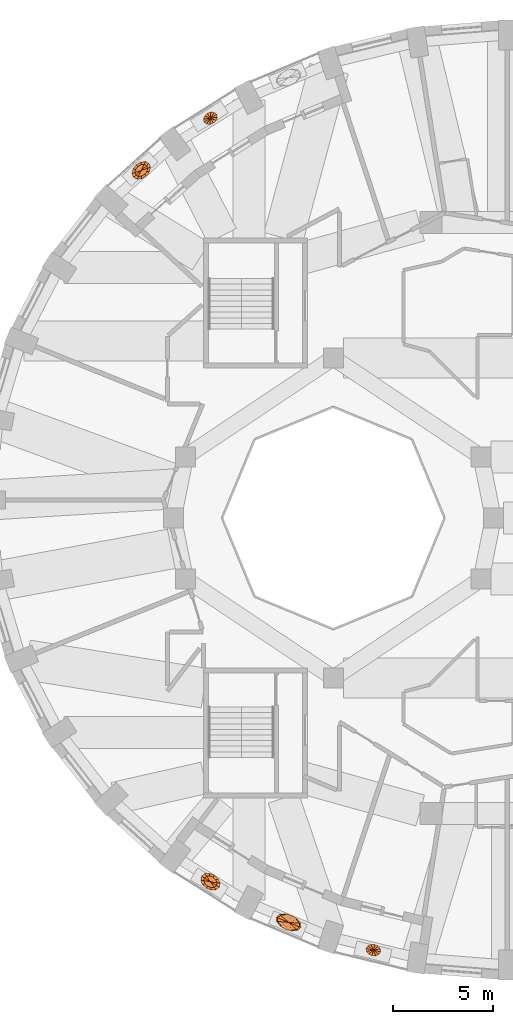
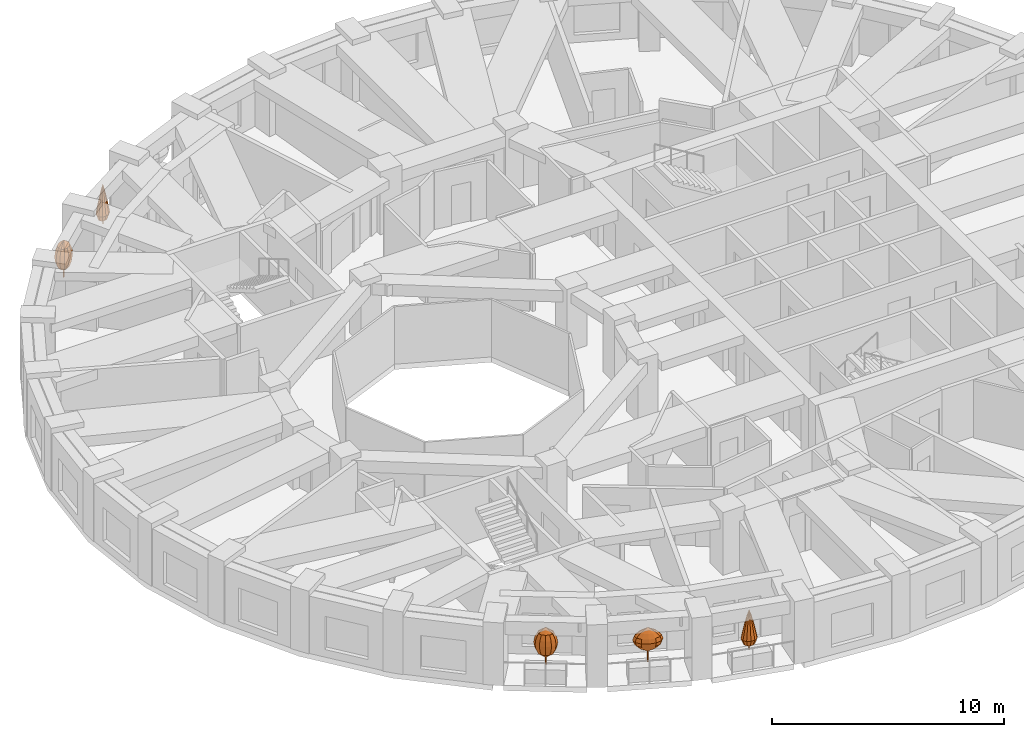
# One storey, part 11 of 12: 5 geographic elements.
"""IFC4 building model written with IfcOpenShell, lengths in metres."""

from ifc_helpers import new_model, si_unit, direction, frame, origin, place, context, subcontext, project, spatial, faceted_brep, material, constituent, constituent_set, type_object, element, save


model = new_model("IFC4")

# Units and contexts
model_context = context("Model", 3, precision=1e-05, world=origin(), true_north=direction((0.0, 1.0)))
body_context = subcontext(model_context, "Body", "Model", "MODEL_VIEW")
ifc_project = project(units=[si_unit("LENGTHUNIT", "METRE"), si_unit("AREAUNIT", "SQUARE_METRE"), si_unit("VOLUMEUNIT", "CUBIC_METRE"), si_unit("PLANEANGLEUNIT", "RADIAN"), si_unit("MASSUNIT", "GRAM", prefix="KILO")], contexts=[model_context])

# Site, building, storey
site_placement = place(None, origin())
site = spatial("IfcSite", under=ifc_project, at=site_placement, CompositionType="ELEMENT")
building_placement = place(site_placement, origin())
building = spatial("IfcBuilding", under=site, at=building_placement, Name="Taillehof Tower", CompositionType="ELEMENT")
storey_placement = place(building_placement, frame((0.0, 0.0, 215.60009765625)))
storey = spatial("IfcBuildingStorey", under=building, at=storey_placement, Name="L61", CompositionType="ELEMENT", Elevation=215.60009765625)

# Geographic elements
ifc_material_1 = material(Name="Tree bark", Category="timber")
ifc_constituent_1 = constituent(ifc_material_1, Name="Trunk", Category="timber")
ifc_material_2 = material(Name="Tree foliage")
ifc_constituent_2 = constituent(ifc_material_2, Name="Crown")
ifc_constituent_set_1 = constituent_set(constituents=[ifc_constituent_1, ifc_constituent_2], Name="Tree TR2 Fastigiate yew")
geographic_element_type_1 = type_object("IfcGeographicElementType", Name="Tree TR2 Fastigiate yew", PredefinedType="USERDEFINED", material=ifc_constituent_set_1)
geographic_element_1_placement = place(storey_placement, frame((-14.14501953125, -18.188232421875, 0.75)))
element("IfcGeographicElement", 1, at=geographic_element_1_placement, inside=storey, type_object=geographic_element_type_1, Name="Tree TR2 Fastigiate yew", ObjectType="TREE", PredefinedType="USERDEFINED", context=body_context, shape_type="Brep", body=[
    faceted_brep([(0.034912109375, 0.0, 0.0), (0.024658203125, 0.024658203125, 0.0), (0.024658203125, 0.024658203125, 0.909912109375), (0.034912109375, 0.0, 0.909912109375), (0.0, 0.034912109375, 0.0), (0.0, 0.034912109375, 0.909912109375), (-0.024658203125, 0.024658203125, 0.0), (-0.024658203125, 0.024658203125, 0.909912109375), (-0.034912109375, 0.0, 0.0), (-0.034912109375, 0.0, 0.909912109375), (-0.024658203125, -0.024658203125, 0.0), (-0.024658203125, -0.024658203125, 0.909912109375), (0.0, -0.034912109375, 0.0), (0.0, -0.034912109375, 0.909912109375), (0.024658203125, -0.024658203125, 0.0), (0.024658203125, -0.024658203125, 0.909912109375)], [[[0, 1, 2, 3]], [[1, 4, 5, 2]], [[4, 6, 7, 5]], [[6, 8, 9, 7]], [[8, 10, 11, 9]], [[10, 12, 13, 11]], [[12, 14, 15, 13]], [[14, 0, 3, 15]], [[14, 12, 10, 8, 6, 4, 1, 0]], [[3, 2, 5, 7, 9, 11, 13, 15]]]),
    faceted_brep([(0.0, 0.0, 0.35009765625), (0.33056640625, -0.054931640625, 0.61669921875), (0.302001953125, -0.190185546875, 0.61669921875), (0.270751953125, 0.09521484375, 0.61669921875), (0.138427734375, 0.2197265625, 0.61669921875), (-0.03125, 0.285400390625, 0.61669921875), (-0.1923828125, 0.2744140625, 0.61669921875), (-0.302001953125, 0.190185546875, 0.61669921875), (-0.33056640625, 0.054931640625, 0.61669921875), (-0.270751953125, -0.09521484375, 0.61669921875), (-0.138427734375, -0.2197265625, 0.61669921875), (0.03125, -0.285400390625, 0.61669921875), (0.1923828125, -0.2744140625, 0.61669921875), (0.447265625, -0.07421875, 0.88330078125), (0.408447265625, -0.25732421875, 0.88330078125), (0.3662109375, 0.128662109375, 0.88330078125), (0.18701171875, 0.297119140625, 0.88330078125), (-0.042236328125, 0.385986328125, 0.88330078125), (-0.26025390625, 0.371337890625, 0.88330078125), (-0.408447265625, 0.25732421875, 0.88330078125), (-0.447265625, 0.07421875, 0.88330078125), (-0.3662109375, -0.128662109375, 0.88330078125), (-0.18701171875, -0.297119140625, 0.88330078125), (0.042236328125, -0.385986328125, 0.88330078125), (0.26025390625, -0.371337890625, 0.88330078125), (0.484130859375, -0.080322265625, 1.14990234375), (0.442138671875, -0.278564453125, 1.14990234375), (0.396484375, 0.13916015625, 1.14990234375), (0.20263671875, 0.321533203125, 1.14990234375), (-0.045654296875, 0.417724609375, 1.14990234375), (-0.28173828125, 0.40185546875, 1.14990234375), (-0.442138671875, 0.278564453125, 1.14990234375), (-0.484130859375, 0.080322265625, 1.14990234375), (-0.396484375, -0.13916015625, 1.14990234375), (-0.20263671875, -0.321533203125, 1.14990234375), (0.045654296875, -0.417724609375, 1.14990234375), (0.28173828125, -0.40185546875, 1.14990234375), (0.447265625, -0.07421875, 1.416748046875), (0.408447265625, -0.25732421875, 1.416748046875), (0.3662109375, 0.128662109375, 1.416748046875), (0.18701171875, 0.297119140625, 1.416748046875), (-0.042236328125, 0.385986328125, 1.416748046875), (-0.26025390625, 0.371337890625, 1.416748046875), (-0.408447265625, 0.25732421875, 1.416748046875), (-0.447265625, 0.07421875, 1.416748046875), (-0.3662109375, -0.128662109375, 1.416748046875), (-0.18701171875, -0.297119140625, 1.416748046875), (0.042236328125, -0.385986328125, 1.416748046875), (0.26025390625, -0.371337890625, 1.416748046875), (0.33056640625, -0.054931640625, 1.683349609375), (0.302001953125, -0.190185546875, 1.683349609375), (0.270751953125, 0.09521484375, 1.683349609375), (0.138427734375, 0.2197265625, 1.683349609375), (-0.03125, 0.285400390625, 1.683349609375), (-0.1923828125, 0.2744140625, 1.683349609375), (-0.302001953125, 0.190185546875, 1.683349609375), (-0.33056640625, 0.054931640625, 1.683349609375), (-0.270751953125, -0.09521484375, 1.683349609375), (-0.138427734375, -0.2197265625, 1.683349609375), (0.03125, -0.285400390625, 1.683349609375), (0.1923828125, -0.2744140625, 1.683349609375), (0.0, 0.0, 1.949951171875)], [[[0, 1, 2]], [[0, 3, 1]], [[0, 4, 3]], [[0, 5, 4]], [[0, 6, 5]], [[0, 7, 6]], [[0, 8, 7]], [[0, 9, 8]], [[0, 10, 9]], [[0, 11, 10]], [[0, 12, 11]], [[0, 2, 12]], [[2, 1, 13, 14]], [[1, 3, 15, 13]], [[3, 4, 16, 15]], [[4, 5, 17, 16]], [[5, 6, 18, 17]], [[6, 7, 19, 18]], [[7, 8, 20, 19]], [[8, 9, 21, 20]], [[9, 10, 22, 21]], [[10, 11, 23, 22]], [[11, 12, 24, 23]], [[12, 2, 14, 24]], [[14, 13, 25, 26]], [[13, 15, 27, 25]], [[15, 16, 28, 27]], [[16, 17, 29, 28]], [[17, 18, 30, 29]], [[18, 19, 31, 30]], [[19, 20, 32, 31]], [[20, 21, 33, 32]], [[21, 22, 34, 33]], [[22, 23, 35, 34]], [[23, 24, 36, 35]], [[24, 14, 26, 36]], [[26, 25, 37, 38]], [[25, 27, 39, 37]], [[27, 28, 40, 39]], [[28, 29, 41, 40]], [[29, 30, 42, 41]], [[30, 31, 43, 42]], [[31, 32, 44, 43]], [[32, 33, 45, 44]], [[33, 34, 46, 45]], [[34, 35, 47, 46]], [[35, 36, 48, 47]], [[36, 26, 38, 48]], [[38, 37, 49, 50]], [[37, 39, 51, 49]], [[39, 40, 52, 51]], [[40, 41, 53, 52]], [[41, 42, 54, 53]], [[42, 43, 55, 54]], [[43, 44, 56, 55]], [[44, 45, 57, 56]], [[45, 46, 58, 57]], [[46, 47, 59, 58]], [[47, 48, 60, 59]], [[48, 38, 50, 60]], [[50, 49, 61]], [[49, 51, 61]], [[51, 52, 61]], [[52, 53, 61]], [[53, 54, 61]], [[54, 55, 61]], [[55, 56, 61]], [[56, 57, 61]], [[57, 58, 61]], [[58, 59, 61]], [[59, 60, 61]], [[60, 50, 61]]]),
])
geographic_element_2_placement = place(storey_placement, frame((-17.60205078125, 17.378662109375, 0.75)))
element("IfcGeographicElement", 2, at=geographic_element_2_placement, inside=storey, type_object=geographic_element_type_1, Name="Tree TR2 Fastigiate yew", ObjectType="TREE", PredefinedType="USERDEFINED", context=body_context, shape_type="Brep", body=[
    faceted_brep([(0.034912109375, 0.0, 0.0), (0.024658203125, 0.024658203125, 0.0), (0.024658203125, 0.024658203125, 0.909912109375), (0.034912109375, 0.0, 0.909912109375), (0.0, 0.034912109375, 0.0), (0.0, 0.034912109375, 0.909912109375), (-0.024658203125, 0.024658203125, 0.0), (-0.024658203125, 0.024658203125, 0.909912109375), (-0.034912109375, 0.0, 0.0), (-0.034912109375, 0.0, 0.909912109375), (-0.024658203125, -0.024658203125, 0.0), (-0.024658203125, -0.024658203125, 0.909912109375), (0.0, -0.034912109375, 0.0), (0.0, -0.034912109375, 0.909912109375), (0.024658203125, -0.024658203125, 0.0), (0.024658203125, -0.024658203125, 0.909912109375)], [[[0, 1, 2, 3]], [[1, 4, 5, 2]], [[4, 6, 7, 5]], [[6, 8, 9, 7]], [[8, 10, 11, 9]], [[10, 12, 13, 11]], [[12, 14, 15, 13]], [[14, 0, 3, 15]], [[14, 12, 10, 8, 6, 4, 1, 0]], [[3, 2, 5, 7, 9, 11, 13, 15]]]),
    faceted_brep([(0.0, 0.0, 0.35009765625), (-0.14306640625, -0.30322265625, 0.61669921875), (-0.265380859375, -0.23876953125, 0.61669921875), (0.017578125, -0.286376953125, 0.61669921875), (0.173583984375, -0.19287109375, 0.61669921875), (0.282958984375, -0.0478515625, 0.61669921875), (0.316650390625, 0.110107421875, 0.61669921875), (0.265380859375, 0.23876953125, 0.61669921875), (0.14306640625, 0.30322265625, 0.61669921875), (-0.017578125, 0.286376953125, 0.61669921875), (-0.173583984375, 0.19287109375, 0.61669921875), (-0.282958984375, 0.0478515625, 0.61669921875), (-0.316650390625, -0.110107421875, 0.61669921875), (-0.193359375, -0.41015625, 0.88330078125), (-0.35888671875, -0.32275390625, 0.88330078125), (0.02392578125, -0.387451171875, 0.88330078125), (0.23486328125, -0.260986328125, 0.88330078125), (0.3828125, -0.064697265625, 0.88330078125), (0.42822265625, 0.149169921875, 0.88330078125), (0.35888671875, 0.32275390625, 0.88330078125), (0.193359375, 0.41015625, 0.88330078125), (-0.02392578125, 0.387451171875, 0.88330078125), (-0.23486328125, 0.260986328125, 0.88330078125), (-0.3828125, 0.064697265625, 0.88330078125), (-0.42822265625, -0.149169921875, 0.88330078125), (-0.209228515625, -0.44384765625, 1.14990234375), (-0.388427734375, -0.349365234375, 1.14990234375), (0.02587890625, -0.41943359375, 1.14990234375), (0.254150390625, -0.282470703125, 1.14990234375), (0.414306640625, -0.06982421875, 1.14990234375), (0.46337890625, 0.161376953125, 1.14990234375), (0.388427734375, 0.349365234375, 1.14990234375), (0.209228515625, 0.44384765625, 1.14990234375), (-0.02587890625, 0.41943359375, 1.14990234375), (-0.254150390625, 0.282470703125, 1.14990234375), (-0.414306640625, 0.06982421875, 1.14990234375), (-0.46337890625, -0.161376953125, 1.14990234375), (-0.193359375, -0.41015625, 1.416748046875), (-0.35888671875, -0.32275390625, 1.416748046875), (0.02392578125, -0.387451171875, 1.416748046875), (0.23486328125, -0.260986328125, 1.416748046875), (0.3828125, -0.064697265625, 1.416748046875), (0.42822265625, 0.149169921875, 1.416748046875), (0.35888671875, 0.32275390625, 1.416748046875), (0.193359375, 0.41015625, 1.416748046875), (-0.02392578125, 0.387451171875, 1.416748046875), (-0.23486328125, 0.260986328125, 1.416748046875), (-0.3828125, 0.064697265625, 1.416748046875), (-0.42822265625, -0.149169921875, 1.416748046875), (-0.14306640625, -0.30322265625, 1.683349609375), (-0.265380859375, -0.23876953125, 1.683349609375), (0.017578125, -0.286376953125, 1.683349609375), (0.173583984375, -0.19287109375, 1.683349609375), (0.282958984375, -0.0478515625, 1.683349609375), (0.316650390625, 0.110107421875, 1.683349609375), (0.265380859375, 0.23876953125, 1.683349609375), (0.14306640625, 0.30322265625, 1.683349609375), (-0.017578125, 0.286376953125, 1.683349609375), (-0.173583984375, 0.19287109375, 1.683349609375), (-0.282958984375, 0.0478515625, 1.683349609375), (-0.316650390625, -0.110107421875, 1.683349609375), (0.0, 0.0, 1.949951171875)], [[[0, 1, 2]], [[0, 3, 1]], [[0, 4, 3]], [[0, 5, 4]], [[0, 6, 5]], [[0, 7, 6]], [[0, 8, 7]], [[0, 9, 8]], [[0, 10, 9]], [[0, 11, 10]], [[0, 12, 11]], [[0, 2, 12]], [[2, 1, 13, 14]], [[1, 3, 15, 13]], [[3, 4, 16, 15]], [[4, 5, 17, 16]], [[5, 6, 18, 17]], [[6, 7, 19, 18]], [[7, 8, 20, 19]], [[8, 9, 21, 20]], [[9, 10, 22, 21]], [[10, 11, 23, 22]], [[11, 12, 24, 23]], [[12, 2, 14, 24]], [[14, 13, 25, 26]], [[13, 15, 27, 25]], [[15, 16, 28, 27]], [[16, 17, 29, 28]], [[17, 18, 30, 29]], [[18, 19, 31, 30]], [[19, 20, 32, 31]], [[20, 21, 33, 32]], [[21, 22, 34, 33]], [[22, 23, 35, 34]], [[23, 24, 36, 35]], [[24, 14, 26, 36]], [[26, 25, 37, 38]], [[25, 27, 39, 37]], [[27, 28, 40, 39]], [[28, 29, 41, 40]], [[29, 30, 42, 41]], [[30, 31, 43, 42]], [[31, 32, 44, 43]], [[32, 33, 45, 44]], [[33, 34, 46, 45]], [[34, 35, 47, 46]], [[35, 36, 48, 47]], [[36, 26, 38, 48]], [[38, 37, 49, 50]], [[37, 39, 51, 49]], [[39, 40, 52, 51]], [[40, 41, 53, 52]], [[41, 42, 54, 53]], [[42, 43, 55, 54]], [[43, 44, 56, 55]], [[44, 45, 57, 56]], [[45, 46, 58, 57]], [[46, 47, 59, 58]], [[47, 48, 60, 59]], [[48, 38, 50, 60]], [[50, 49, 61]], [[49, 51, 61]], [[51, 52, 61]], [[52, 53, 61]], [[53, 54, 61]], [[54, 55, 61]], [[55, 56, 61]], [[56, 57, 61]], [[57, 58, 61]], [[58, 59, 61]], [[59, 60, 61]], [[60, 50, 61]]]),
])
ifc_material_3 = material(Name="Tree bark", Category="timber")
ifc_constituent_3 = constituent(ifc_material_3, Name="Trunk", Category="timber")
ifc_material_4 = material(Name="Tree foliage")
ifc_constituent_4 = constituent(ifc_material_4, Name="Crown")
ifc_constituent_set_2 = constituent_set(constituents=[ifc_constituent_3, ifc_constituent_4], Name="Tree TR4 Sea buckthorn standard")
geographic_element_type_2 = type_object("IfcGeographicElementType", Name="Tree TR4 Sea buckthorn standard", PredefinedType="USERDEFINED", material=ifc_constituent_set_2)
geographic_element_3_placement = place(storey_placement, frame((-10.2373046875, -20.218017578125, 0.75)))
element("IfcGeographicElement", 3, at=geographic_element_3_placement, inside=storey, type_object=geographic_element_type_2, Name="Tree TR4 Sea buckthorn standard", ObjectType="TREE", PredefinedType="USERDEFINED", context=body_context, shape_type="Brep", body=[
    faceted_brep([(0.030029296875, 0.0, 0.0), (0.021240234375, 0.021240234375, 0.0), (0.021240234375, 0.021240234375, 0.98095703125), (0.030029296875, 0.0, 0.98095703125), (0.0, 0.030029296875, 0.0), (0.0, 0.030029296875, 0.98095703125), (-0.021240234375, 0.021240234375, 0.0), (-0.021240234375, 0.021240234375, 0.98095703125), (-0.030029296875, 0.0, 0.0), (-0.030029296875, 0.0, 0.98095703125), (-0.021240234375, -0.021240234375, 0.0), (-0.021240234375, -0.021240234375, 0.98095703125), (0.0, -0.030029296875, 0.0), (0.0, -0.030029296875, 0.98095703125), (0.021240234375, -0.021240234375, 0.0), (0.021240234375, -0.021240234375, 0.98095703125)], [[[0, 1, 2, 3]], [[1, 4, 5, 2]], [[4, 6, 7, 5]], [[6, 8, 9, 7]], [[8, 10, 11, 9]], [[10, 12, 13, 11]], [[12, 14, 15, 13]], [[14, 0, 3, 15]], [[14, 12, 10, 8, 6, 4, 1, 0]], [[3, 2, 5, 7, 9, 11, 13, 15]]]),
    faceted_brep([(0.0, 0.0, 0.5400390625), (0.34716796875, -0.02734375, 0.75), (0.352294921875, -0.147705078125, 0.75), (0.249267578125, 0.100341796875, 0.75), (0.08447265625, 0.201171875, 0.75), (-0.10302734375, 0.248046875, 0.75), (-0.2626953125, 0.228515625, 0.75), (-0.352294921875, 0.147705078125, 0.75), (-0.34716796875, 0.02734375, 0.75), (-0.249267578125, -0.100341796875, 0.75), (-0.08447265625, -0.201171875, 0.75), (0.10302734375, -0.248046875, 0.75), (0.2626953125, -0.228515625, 0.75), (0.538818359375, -0.04248046875, 0.9599609375), (0.546630859375, -0.229248046875, 0.9599609375), (0.38671875, 0.15576171875, 0.9599609375), (0.131103515625, 0.312255859375, 0.9599609375), (-0.159912109375, 0.385009765625, 0.9599609375), (-0.407958984375, 0.354736328125, 0.9599609375), (-0.546630859375, 0.229248046875, 0.9599609375), (-0.538818359375, 0.04248046875, 0.9599609375), (-0.38671875, -0.15576171875, 0.9599609375), (-0.131103515625, -0.312255859375, 0.9599609375), (0.159912109375, -0.385009765625, 0.9599609375), (0.407958984375, -0.354736328125, 0.9599609375), (0.6044921875, -0.047607421875, 1.169921875), (0.61328125, -0.25732421875, 1.169921875), (0.433837890625, 0.1748046875, 1.169921875), (0.14697265625, 0.350341796875, 1.169921875), (-0.179443359375, 0.43212890625, 1.169921875), (-0.45751953125, 0.39794921875, 1.169921875), (-0.61328125, 0.25732421875, 1.169921875), (-0.6044921875, 0.047607421875, 1.169921875), (-0.433837890625, -0.1748046875, 1.169921875), (-0.14697265625, -0.350341796875, 1.169921875), (0.179443359375, -0.43212890625, 1.169921875), (0.45751953125, -0.39794921875, 1.169921875), (0.538818359375, -0.04248046875, 1.3798828125), (0.546630859375, -0.229248046875, 1.3798828125), (0.38671875, 0.15576171875, 1.3798828125), (0.131103515625, 0.312255859375, 1.3798828125), (-0.159912109375, 0.385009765625, 1.3798828125), (-0.407958984375, 0.354736328125, 1.3798828125), (-0.546630859375, 0.229248046875, 1.3798828125), (-0.538818359375, 0.04248046875, 1.3798828125), (-0.38671875, -0.15576171875, 1.3798828125), (-0.131103515625, -0.312255859375, 1.3798828125), (0.159912109375, -0.385009765625, 1.3798828125), (0.407958984375, -0.354736328125, 1.3798828125), (0.34716796875, -0.02734375, 1.590087890625), (0.352294921875, -0.147705078125, 1.590087890625), (0.249267578125, 0.100341796875, 1.590087890625), (0.08447265625, 0.201171875, 1.590087890625), (-0.10302734375, 0.248046875, 1.590087890625), (-0.2626953125, 0.228515625, 1.590087890625), (-0.352294921875, 0.147705078125, 1.590087890625), (-0.34716796875, 0.02734375, 1.590087890625), (-0.249267578125, -0.100341796875, 1.590087890625), (-0.08447265625, -0.201171875, 1.590087890625), (0.10302734375, -0.248046875, 1.590087890625), (0.2626953125, -0.228515625, 1.590087890625), (0.0, 0.0, 1.800048828125)], [[[0, 1, 2]], [[0, 3, 1]], [[0, 4, 3]], [[0, 5, 4]], [[0, 6, 5]], [[0, 7, 6]], [[0, 8, 7]], [[0, 9, 8]], [[0, 10, 9]], [[0, 11, 10]], [[0, 12, 11]], [[0, 2, 12]], [[2, 1, 13, 14]], [[1, 3, 15, 13]], [[3, 4, 16, 15]], [[4, 5, 17, 16]], [[5, 6, 18, 17]], [[6, 7, 19, 18]], [[7, 8, 20, 19]], [[8, 9, 21, 20]], [[9, 10, 22, 21]], [[10, 11, 23, 22]], [[11, 12, 24, 23]], [[12, 2, 14, 24]], [[14, 13, 25, 26]], [[13, 15, 27, 25]], [[15, 16, 28, 27]], [[16, 17, 29, 28]], [[17, 18, 30, 29]], [[18, 19, 31, 30]], [[19, 20, 32, 31]], [[20, 21, 33, 32]], [[21, 22, 34, 33]], [[22, 23, 35, 34]], [[23, 24, 36, 35]], [[24, 14, 26, 36]], [[26, 25, 37, 38]], [[25, 27, 39, 37]], [[27, 28, 40, 39]], [[28, 29, 41, 40]], [[29, 30, 42, 41]], [[30, 31, 43, 42]], [[31, 32, 44, 43]], [[32, 33, 45, 44]], [[33, 34, 46, 45]], [[34, 35, 47, 46]], [[35, 36, 48, 47]], [[36, 26, 38, 48]], [[38, 37, 49, 50]], [[37, 39, 51, 49]], [[39, 40, 52, 51]], [[40, 41, 53, 52]], [[41, 42, 54, 53]], [[42, 43, 55, 54]], [[43, 44, 56, 55]], [[44, 45, 57, 56]], [[45, 46, 58, 57]], [[46, 47, 59, 58]], [[47, 48, 60, 59]], [[48, 38, 50, 60]], [[50, 49, 61]], [[49, 51, 61]], [[51, 52, 61]], [[52, 53, 61]], [[53, 54, 61]], [[54, 55, 61]], [[55, 56, 61]], [[56, 57, 61]], [[57, 58, 61]], [[58, 59, 61]], [[59, 60, 61]], [[60, 50, 61]]]),
])
ifc_material_5 = material(Name="Tree bark", Category="timber")
ifc_constituent_5 = constituent(ifc_material_5, Name="Trunk", Category="timber")
ifc_material_6 = material(Name="Tree foliage")
ifc_constituent_6 = constituent(ifc_material_6, Name="Crown")
ifc_constituent_set_3 = constituent_set(constituents=[ifc_constituent_5, ifc_constituent_6], Name="Tree TR5 Columnar juniper")
geographic_element_type_3 = type_object("IfcGeographicElementType", Name="Tree TR5 Columnar juniper", PredefinedType="USERDEFINED", material=ifc_constituent_set_3)
geographic_element_4_placement = place(storey_placement, frame((-5.997802734375, -21.60595703125, 0.75)))
element("IfcGeographicElement", 4, at=geographic_element_4_placement, inside=storey, type_object=geographic_element_type_3, Name="Tree TR5 Columnar juniper", ObjectType="TREE", PredefinedType="USERDEFINED", context=body_context, shape_type="Brep", body=[
    faceted_brep([(0.02490234375, 0.0, 0.0), (0.017578125, 0.017578125, 0.0), (0.017578125, 0.017578125, 0.929931640625), (0.02490234375, 0.0, 0.929931640625), (0.0, 0.02490234375, 0.0), (0.0, 0.02490234375, 0.929931640625), (-0.017578125, 0.017578125, 0.0), (-0.017578125, 0.017578125, 0.929931640625), (-0.02490234375, 0.0, 0.0), (-0.02490234375, 0.0, 0.929931640625), (-0.017578125, -0.017578125, 0.0), (-0.017578125, -0.017578125, 0.929931640625), (0.0, -0.02490234375, 0.0), (0.0, -0.02490234375, 0.929931640625), (0.017578125, -0.017578125, 0.0), (0.017578125, -0.017578125, 0.929931640625)], [[[0, 1, 2, 3]], [[1, 4, 5, 2]], [[4, 6, 7, 5]], [[6, 8, 9, 7]], [[8, 10, 11, 9]], [[10, 12, 13, 11]], [[12, 14, 15, 13]], [[14, 0, 3, 15]], [[14, 12, 10, 8, 6, 4, 1, 0]], [[3, 2, 5, 7, 9, 11, 13, 15]]]),
    faceted_brep([(0.24072265625, -0.05810546875, 0.300048828125), (0.23095703125, 0.04345703125, 0.300048828125), (0.3447265625, 0.064697265625, 0.60009765625), (0.359130859375, -0.086669921875, 0.60009765625), (0.159423828125, 0.133056640625, 0.300048828125), (0.23779296875, 0.19873046875, 0.60009765625), (0.045166015625, 0.187255859375, 0.300048828125), (0.0673828125, 0.279296875, 0.60009765625), (-0.081298828125, 0.191162109375, 0.300048828125), (-0.121337890625, 0.28515625, 0.60009765625), (-0.185791015625, 0.143798828125, 0.300048828125), (-0.27734375, 0.214599609375, 0.60009765625), (-0.24072265625, 0.05810546875, 0.300048828125), (-0.359130859375, 0.086669921875, 0.60009765625), (-0.23095703125, -0.04345703125, 0.300048828125), (-0.3447265625, -0.064697265625, 0.60009765625), (-0.159423828125, -0.133056640625, 0.300048828125), (-0.23779296875, -0.19873046875, 0.60009765625), (-0.045166015625, -0.187255859375, 0.300048828125), (-0.0673828125, -0.279296875, 0.60009765625), (0.081298828125, -0.191162109375, 0.300048828125), (0.121337890625, -0.28515625, 0.60009765625), (0.185791015625, -0.143798828125, 0.300048828125), (0.27734375, -0.214599609375, 0.60009765625), (0.288330078125, 0.05419921875, 0.89990234375), (0.300537109375, -0.072509765625, 0.89990234375), (0.198974609375, 0.166259765625, 0.89990234375), (0.056396484375, 0.233642578125, 0.89990234375), (-0.1015625, 0.238525390625, 0.89990234375), (-0.23193359375, 0.1796875, 0.89990234375), (-0.300537109375, 0.072509765625, 0.89990234375), (-0.288330078125, -0.05419921875, 0.89990234375), (-0.198974609375, -0.166259765625, 0.89990234375), (-0.056396484375, -0.233642578125, 0.89990234375), (0.1015625, -0.238525390625, 0.89990234375), (0.23193359375, -0.1796875, 0.89990234375), (0.22900390625, 0.04296875, 1.199951171875), (0.23876953125, -0.0576171875, 1.199951171875), (0.158203125, 0.132080078125, 1.199951171875), (0.044677734375, 0.185546875, 1.199951171875), (-0.08056640625, 0.189453125, 1.199951171875), (-0.184326171875, 0.142578125, 1.199951171875), (-0.23876953125, 0.0576171875, 1.199951171875), (-0.22900390625, -0.04296875, 1.199951171875), (-0.158203125, -0.132080078125, 1.199951171875), (-0.044677734375, -0.185546875, 1.199951171875), (0.08056640625, -0.189453125, 1.199951171875), (0.184326171875, -0.142578125, 1.199951171875), (0.16552734375, 0.031005859375, 1.5), (0.172607421875, -0.04150390625, 1.5), (0.1142578125, 0.095458984375, 1.5), (0.032470703125, 0.13427734375, 1.5), (-0.058349609375, 0.136962890625, 1.5), (-0.13330078125, 0.10302734375, 1.5), (-0.172607421875, 0.04150390625, 1.5), (-0.16552734375, -0.031005859375, 1.5), (-0.1142578125, -0.095458984375, 1.5), (-0.032470703125, -0.13427734375, 1.5), (0.058349609375, -0.136962890625, 1.5), (0.13330078125, -0.10302734375, 1.5), (0.09521484375, 0.017822265625, 1.800048828125), (0.09912109375, -0.02392578125, 1.800048828125), (0.065673828125, 0.054931640625, 1.800048828125), (0.0185546875, 0.0771484375, 1.800048828125), (-0.033447265625, 0.07861328125, 1.800048828125), (-0.07666015625, 0.059326171875, 1.800048828125), (-0.09912109375, 0.02392578125, 1.800048828125), (-0.09521484375, -0.017822265625, 1.800048828125), (-0.065673828125, -0.054931640625, 1.800048828125), (-0.0185546875, -0.0771484375, 1.800048828125), (0.033447265625, -0.07861328125, 1.800048828125), (0.07666015625, -0.059326171875, 1.800048828125), (0.0, 0.0, 2.10009765625)], [[[0, 1, 2, 3]], [[1, 4, 5, 2]], [[4, 6, 7, 5]], [[6, 8, 9, 7]], [[8, 10, 11, 9]], [[10, 12, 13, 11]], [[12, 14, 15, 13]], [[14, 16, 17, 15]], [[16, 18, 19, 17]], [[18, 20, 21, 19]], [[20, 22, 23, 21]], [[22, 0, 3, 23]], [[3, 2, 24, 25]], [[2, 5, 26, 24]], [[5, 7, 27, 26]], [[7, 9, 28, 27]], [[9, 11, 29, 28]], [[11, 13, 30, 29]], [[13, 15, 31, 30]], [[15, 17, 32, 31]], [[17, 19, 33, 32]], [[19, 21, 34, 33]], [[21, 23, 35, 34]], [[23, 3, 25, 35]], [[25, 24, 36, 37]], [[24, 26, 38, 36]], [[26, 27, 39, 38]], [[27, 28, 40, 39]], [[28, 29, 41, 40]], [[29, 30, 42, 41]], [[30, 31, 43, 42]], [[31, 32, 44, 43]], [[32, 33, 45, 44]], [[33, 34, 46, 45]], [[34, 35, 47, 46]], [[35, 25, 37, 47]], [[37, 36, 48, 49]], [[36, 38, 50, 48]], [[38, 39, 51, 50]], [[39, 40, 52, 51]], [[40, 41, 53, 52]], [[41, 42, 54, 53]], [[42, 43, 55, 54]], [[43, 44, 56, 55]], [[44, 45, 57, 56]], [[45, 46, 58, 57]], [[46, 47, 59, 58]], [[47, 37, 49, 59]], [[49, 48, 60, 61]], [[48, 50, 62, 60]], [[50, 51, 63, 62]], [[51, 52, 64, 63]], [[52, 53, 65, 64]], [[53, 54, 66, 65]], [[54, 55, 67, 66]], [[55, 56, 68, 67]], [[56, 57, 69, 68]], [[57, 58, 70, 69]], [[58, 59, 71, 70]], [[59, 49, 61, 71]], [[61, 60, 72]], [[60, 62, 72]], [[62, 63, 72]], [[63, 64, 72]], [[64, 65, 72]], [[65, 66, 72]], [[66, 67, 72]], [[67, 68, 72]], [[68, 69, 72]], [[69, 70, 72]], [[70, 71, 72]], [[71, 61, 72]], [[22, 20, 18, 16, 14, 12, 10, 8, 6, 4, 1, 0]]]),
])
geographic_element_5_placement = place(storey_placement, frame((-14.14501953125, 19.98828125, 0.75)))
element("IfcGeographicElement", 5, at=geographic_element_5_placement, inside=storey, type_object=geographic_element_type_3, Name="Tree TR5 Columnar juniper", ObjectType="TREE", PredefinedType="USERDEFINED", context=body_context, shape_type="Brep", body=[
    faceted_brep([(0.02490234375, 0.0, 0.0), (0.017578125, 0.017578125, 0.0), (0.017578125, 0.017578125, 0.929931640625), (0.02490234375, 0.0, 0.929931640625), (0.0, 0.02490234375, 0.0), (0.0, 0.02490234375, 0.929931640625), (-0.017578125, 0.017578125, 0.0), (-0.017578125, 0.017578125, 0.929931640625), (-0.02490234375, 0.0, 0.0), (-0.02490234375, 0.0, 0.929931640625), (-0.017578125, -0.017578125, 0.0), (-0.017578125, -0.017578125, 0.929931640625), (0.0, -0.02490234375, 0.0), (0.0, -0.02490234375, 0.929931640625), (0.017578125, -0.017578125, 0.0), (0.017578125, -0.017578125, 0.929931640625)], [[[0, 1, 2, 3]], [[1, 4, 5, 2]], [[4, 6, 7, 5]], [[6, 8, 9, 7]], [[8, 10, 11, 9]], [[10, 12, 13, 11]], [[12, 14, 15, 13]], [[14, 0, 3, 15]], [[14, 12, 10, 8, 6, 4, 1, 0]], [[3, 2, 5, 7, 9, 11, 13, 15]]]),
    faceted_brep([(-0.20947265625, -0.1318359375, 0.300048828125), (-0.130126953125, -0.195556640625, 0.300048828125), (-0.194091796875, -0.2919921875, 0.60009765625), (-0.312744140625, -0.197021484375, 0.60009765625), (-0.015869140625, -0.20703125, 0.300048828125), (-0.023681640625, -0.30908203125, 0.60009765625), (0.1025390625, -0.162841796875, 0.300048828125), (0.153076171875, -0.2431640625, 0.60009765625), (0.193603515625, -0.0751953125, 0.300048828125), (0.2890625, -0.112060546875, 0.60009765625), (0.232666015625, 0.03271484375, 0.300048828125), (0.347412109375, 0.049072265625, 0.60009765625), (0.20947265625, 0.1318359375, 0.300048828125), (0.312744140625, 0.197021484375, 0.60009765625), (0.130126953125, 0.195556640625, 0.300048828125), (0.194091796875, 0.2919921875, 0.60009765625), (0.015869140625, 0.20703125, 0.300048828125), (0.023681640625, 0.30908203125, 0.60009765625), (-0.1025390625, 0.162841796875, 0.300048828125), (-0.153076171875, 0.2431640625, 0.60009765625), (-0.193603515625, 0.0751953125, 0.300048828125), (-0.2890625, 0.112060546875, 0.60009765625), (-0.232666015625, -0.03271484375, 0.300048828125), (-0.347412109375, -0.049072265625, 0.60009765625), (-0.162353515625, -0.244384765625, 0.89990234375), (-0.261474609375, -0.164794921875, 0.89990234375), (-0.019775390625, -0.258544921875, 0.89990234375), (0.128173828125, -0.203369140625, 0.89990234375), (0.24169921875, -0.09375, 0.89990234375), (0.29052734375, 0.041015625, 0.89990234375), (0.261474609375, 0.164794921875, 0.89990234375), (0.162353515625, 0.244384765625, 0.89990234375), (0.019775390625, 0.258544921875, 0.89990234375), (-0.128173828125, 0.203369140625, 0.89990234375), (-0.24169921875, 0.09375, 0.89990234375), (-0.29052734375, -0.041015625, 0.89990234375), (-0.129150390625, -0.194091796875, 1.199951171875), (-0.207763671875, -0.130859375, 1.199951171875), (-0.015625, -0.205322265625, 1.199951171875), (0.101806640625, -0.16162109375, 1.199951171875), (0.192138671875, -0.074462890625, 1.199951171875), (0.230712890625, 0.032470703125, 1.199951171875), (0.207763671875, 0.130859375, 1.199951171875), (0.129150390625, 0.194091796875, 1.199951171875), (0.015625, 0.205322265625, 1.199951171875), (-0.101806640625, 0.16162109375, 1.199951171875), (-0.192138671875, 0.074462890625, 1.199951171875), (-0.230712890625, -0.032470703125, 1.199951171875), (-0.09326171875, -0.140380859375, 1.5), (-0.150146484375, -0.0947265625, 1.5), (-0.011474609375, -0.1484375, 1.5), (0.073486328125, -0.116943359375, 1.5), (0.138916015625, -0.053955078125, 1.5), (0.1669921875, 0.0234375, 1.5), (0.150146484375, 0.0947265625, 1.5), (0.09326171875, 0.140380859375, 1.5), (0.011474609375, 0.1484375, 1.5), (-0.073486328125, 0.116943359375, 1.5), (-0.138916015625, 0.053955078125, 1.5), (-0.1669921875, -0.0234375, 1.5), (-0.053466796875, -0.08056640625, 1.800048828125), (-0.086181640625, -0.054443359375, 1.800048828125), (-0.006591796875, -0.085205078125, 1.800048828125), (0.042236328125, -0.067138671875, 1.800048828125), (0.079833984375, -0.031005859375, 1.800048828125), (0.095947265625, 0.013427734375, 1.800048828125), (0.086181640625, 0.054443359375, 1.800048828125), (0.053466796875, 0.08056640625, 1.800048828125), (0.006591796875, 0.085205078125, 1.800048828125), (-0.042236328125, 0.067138671875, 1.800048828125), (-0.079833984375, 0.031005859375, 1.800048828125), (-0.095947265625, -0.013427734375, 1.800048828125), (0.0, 0.0, 2.10009765625)], [[[0, 1, 2, 3]], [[1, 4, 5, 2]], [[4, 6, 7, 5]], [[6, 8, 9, 7]], [[8, 10, 11, 9]], [[10, 12, 13, 11]], [[12, 14, 15, 13]], [[14, 16, 17, 15]], [[16, 18, 19, 17]], [[18, 20, 21, 19]], [[20, 22, 23, 21]], [[22, 0, 3, 23]], [[3, 2, 24, 25]], [[2, 5, 26, 24]], [[5, 7, 27, 26]], [[7, 9, 28, 27]], [[9, 11, 29, 28]], [[11, 13, 30, 29]], [[13, 15, 31, 30]], [[15, 17, 32, 31]], [[17, 19, 33, 32]], [[19, 21, 34, 33]], [[21, 23, 35, 34]], [[23, 3, 25, 35]], [[25, 24, 36, 37]], [[24, 26, 38, 36]], [[26, 27, 39, 38]], [[27, 28, 40, 39]], [[28, 29, 41, 40]], [[29, 30, 42, 41]], [[30, 31, 43, 42]], [[31, 32, 44, 43]], [[32, 33, 45, 44]], [[33, 34, 46, 45]], [[34, 35, 47, 46]], [[35, 25, 37, 47]], [[37, 36, 48, 49]], [[36, 38, 50, 48]], [[38, 39, 51, 50]], [[39, 40, 52, 51]], [[40, 41, 53, 52]], [[41, 42, 54, 53]], [[42, 43, 55, 54]], [[43, 44, 56, 55]], [[44, 45, 57, 56]], [[45, 46, 58, 57]], [[46, 47, 59, 58]], [[47, 37, 49, 59]], [[49, 48, 60, 61]], [[48, 50, 62, 60]], [[50, 51, 63, 62]], [[51, 52, 64, 63]], [[52, 53, 65, 64]], [[53, 54, 66, 65]], [[54, 55, 67, 66]], [[55, 56, 68, 67]], [[56, 57, 69, 68]], [[57, 58, 70, 69]], [[58, 59, 71, 70]], [[59, 49, 61, 71]], [[61, 60, 72]], [[60, 62, 72]], [[62, 63, 72]], [[63, 64, 72]], [[64, 65, 72]], [[65, 66, 72]], [[66, 67, 72]], [[67, 68, 72]], [[68, 69, 72]], [[69, 70, 72]], [[70, 71, 72]], [[71, 61, 72]], [[22, 20, 18, 16, 14, 12, 10, 8, 6, 4, 1, 0]]]),
])

save(model, "model.ifc")
